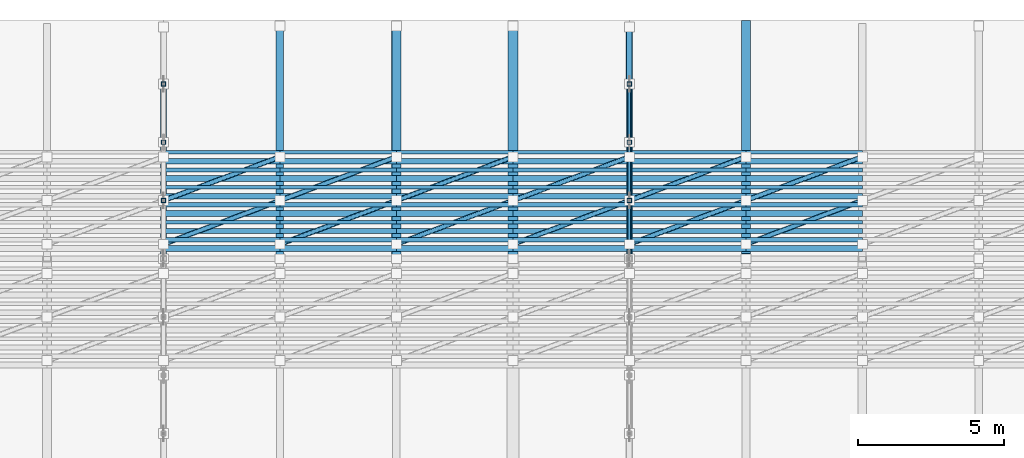
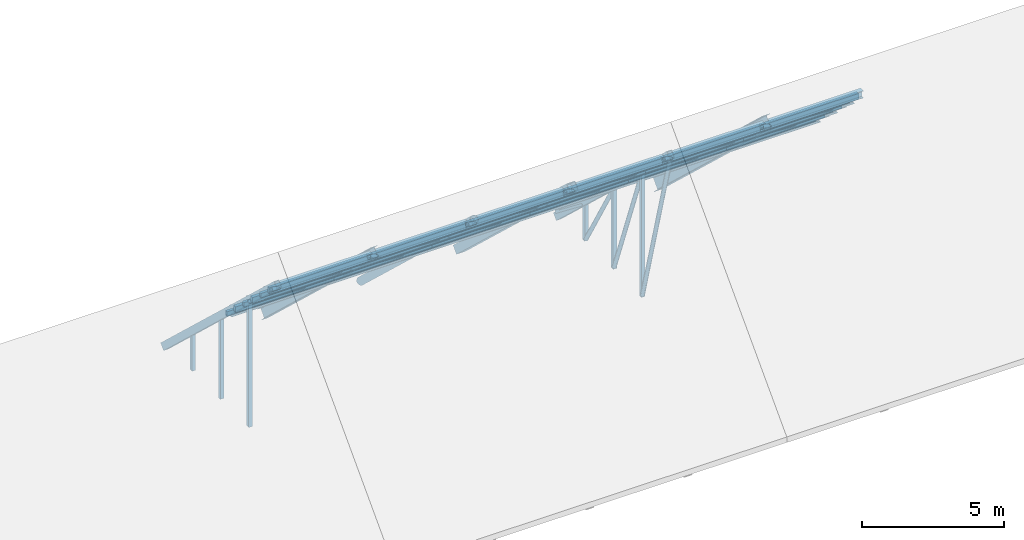
# One storey, part 9 of 18: 100 members.
"""IFC4 building model written with IfcOpenShell, lengths in metres."""

from ifc_helpers import new_model, si_unit, direction, frame, origin, origin_2d, place, context, subcontext, project, spatial, hollow_rectangle, hollow_circle, i_section, extrude, material, material_profile, profile_set, type_object, element, save


model = new_model("IFC4")

# Units and contexts
model_context = context("Model", 3, precision=1e-05, world=origin(), true_north=direction((0.0, 1.0)))
body_context = subcontext(model_context, "Body", "Model", "MODEL_VIEW")
ifc_project = project(units=[si_unit("LENGTHUNIT", "METRE"), si_unit("AREAUNIT", "SQUARE_METRE"), si_unit("VOLUMEUNIT", "CUBIC_METRE"), si_unit("PLANEANGLEUNIT", "RADIAN"), si_unit("MASSUNIT", "GRAM", prefix="KILO")], contexts=[model_context])

# Site, building, storey
site_placement = place(None, origin())
site = spatial("IfcSite", under=ifc_project, at=site_placement, CompositionType="ELEMENT")
building_placement = place(site_placement, origin())
building = spatial("IfcBuilding", under=site, at=building_placement, Name="Serraluz Foothill Cableway Terminal", CompositionType="ELEMENT")
storey_placement = place(building_placement, frame((0.0, 0.0, 24.300048828125)))
storey = spatial("IfcBuildingStorey", under=building, at=storey_placement, Name="RF", CompositionType="ELEMENT", Elevation=24.300048828125)

# Members
ifc_material_1 = material(Name="Steel ASTM A572 Grade 50", Category="steel")
ifc_material_profile_1 = material_profile(ifc_material_1, hollow_circle(Radius=0.084228515625, WallThickness=0.010009765625, at=origin_2d()), Name="CHS168X10")
ifc_profile_set_1 = profile_set([ifc_material_profile_1], Name="Steel ASTM A572 Grade 50")
member_type_1 = type_object("IfcMemberType", Name="TYP-BR-CHS168", PredefinedType="BRACE", material=ifc_profile_set_1)
member_1_placement = place(storey_placement, frame((88.0, 64.01611328125, 2.51220703125), z_axis=(0.0, 0.26797823219, -0.963424967017), x_axis=(-1.0, 0.0, 0.0)))
element("IfcMember", 1, at=member_1_placement, inside=storey, type_object=member_type_1, Name="ROOF TRUSS TR-04 Diagonal 5", PredefinedType="BRACE", context=body_context, shape_type="SweptSolid", body=[
    extrude(hollow_circle(Radius=0.084228515625, WallThickness=0.010009765625, at=origin_2d()), origin(), (0.0, 0.0, 1.0), 7.343017578125),
])
member_2_placement = place(storey_placement, frame((88.0, 66.02099609375, 0.638671875), z_axis=(0.0, 0.352230195063, -0.935913398604), x_axis=(-1.0, 0.0, 0.0)))
element("IfcMember", 2, at=member_2_placement, inside=storey, type_object=member_type_1, Name="ROOF TRUSS TR-04 Diagonal 6", PredefinedType="BRACE", context=body_context, shape_type="SweptSolid", body=[
    extrude(hollow_circle(Radius=0.084228515625, WallThickness=0.010009765625, at=origin_2d()), origin(), (0.0, 0.0, 1.0), 5.558837890625),
])
member_3_placement = place(storey_placement, frame((88.0, 68.0302734375, -1.23193359375), z_axis=(0.0, 0.502584169831, -0.864528283074), x_axis=(-1.0, 0.0, 0.0)))
element("IfcMember", 3, at=member_3_placement, inside=storey, type_object=member_type_1, Name="ROOF TRUSS TR-04 Diagonal 7", PredefinedType="BRACE", context=body_context, shape_type="SweptSolid", body=[
    extrude(hollow_circle(Radius=0.084228515625, WallThickness=0.010009765625, at=origin_2d()), origin(), (0.0, 0.0, 1.0), 3.85888671875),
])
for number, where, z_axis, x_axis, name in (
    (4, (72.0, 64.5, 2.171142578125), (0.889382269185, 0.333518350944, -0.31267345401), (-0.351123441588, 0.936329177569, 0.0), "Roof Lateral Wind Brace 0251"),
    (5, (72.0, 66.0, 0.764892578125), (0.889382269185, 0.333518350944, -0.31267345401), (-0.351123441588, 0.936329177569, 0.0), "Roof Lateral Wind Brace 0252"),
    (6, (76.0, 64.5, 2.171142578125), (0.889382269185, 0.333518350944, -0.31267345401), (-0.351123441588, 0.936329177569, 0.0), "Roof Lateral Wind Brace 0279"),
    (7, (76.0, 66.0, 0.764892578125), (0.889382269185, 0.333518350944, -0.31267345401), (-0.351123441588, 0.936329177569, 0.0), "Roof Lateral Wind Brace 0280"),
    (8, (80.0, 64.5, 2.171142578125), (0.889382269185, 0.333518350944, -0.31267345401), (-0.351123441588, 0.936329177569, 0.0), "Roof Lateral Wind Brace 0307"),
    (9, (80.0, 66.0, 0.764892578125), (0.889382269185, 0.333518350944, -0.31267345401), (-0.351123441588, 0.936329177569, 0.0), "Roof Lateral Wind Brace 0308"),
    (10, (84.0, 64.5, 2.171142578125), (0.889382269185, 0.333518350944, -0.31267345401), (-0.351123441588, 0.936329177569, 0.0), "Roof Lateral Wind Brace 0335"),
    (11, (84.0, 66.0, 0.764892578125), (0.889382269185, 0.333518350944, -0.31267345401), (-0.351123441588, 0.936329177569, 0.0), "Roof Lateral Wind Brace 0336"),
    (12, (88.0, 64.5, 2.171142578125), (0.889382269185, 0.333518350944, -0.31267345401), (-0.351123441588, 0.936329177569, 0.0), "Roof Lateral Wind Brace 0363"),
    (13, (88.0, 66.0, 0.764892578125), (0.889382269185, 0.333518350944, -0.31267345401), (-0.351123441588, 0.936329177569, 0.0), "Roof Lateral Wind Brace 0364"),
    (14, (92.0, 64.5, 2.171142578125), (0.889382269185, 0.333518350944, -0.31267345401), (-0.351123441588, 0.936329177569, 0.0), "Roof Lateral Wind Brace 0391"),
    (15, (92.0, 66.0, 0.764892578125), (0.889382269185, 0.333518350944, -0.31267345401), (-0.351123441588, 0.936329177569, 0.0), "Roof Lateral Wind Brace 0392"),
):
    element("IfcMember", number, at=place(storey_placement, frame(where, z_axis=z_axis, x_axis=x_axis)), inside=storey, type_object=member_type_1, Name=name, PredefinedType="BRACE", context=body_context, shape_type="SweptSolid", body=[
        extrude(hollow_circle(Radius=0.084228515625, WallThickness=0.010009765625, at=origin_2d()), origin(), (0.0, 0.0, 1.0), 4.49755859375),
    ])
ifc_material_profile_2 = material_profile(ifc_material_1, hollow_circle(Radius=0.109619140625, WallThickness=0.011962890625, at=origin_2d()), Name="CHS219X12")
ifc_profile_set_2 = profile_set([ifc_material_profile_2], Name="Steel ASTM A572 Grade 50")
member_type_2 = type_object("IfcMemberType", Name="TYP-BR-CHS219", PredefinedType="BRACE", material=ifc_profile_set_2)
member_4_placement = place(storey_placement, frame((88.0, 70.04736328125, -3.092041015625), z_axis=(0.0, 0.787528424659, -0.616278330265), x_axis=(-1.0, 0.0, 0.0)))
element("IfcMember", 16, at=member_4_placement, inside=storey, type_object=member_type_2, Name="ROOF TRUSS TR-04 Diagonal 8", PredefinedType="BRACE", context=body_context, shape_type="SweptSolid", body=[
    extrude(hollow_circle(Radius=0.109619140625, WallThickness=0.011962890625, at=origin_2d()), origin(), (0.0, 0.0, 1.0), 2.419189453125),
])
ifc_material_profile_3 = material_profile(ifc_material_1, hollow_rectangle(XDim=0.14990234375, YDim=0.14990234375, WallThickness=0.010009765625, at=origin_2d()), Name="HSS150X150X10")
ifc_profile_set_3 = profile_set([ifc_material_profile_3], Name="Steel ASTM A572 Grade 50")
member_type_3 = type_object("IfcMemberType", Name="TYP-BR-HSS150", PredefinedType="BRACE", material=ifc_profile_set_3)
member_5_placement = place(storey_placement, frame((72.0, 66.0, -4.610107421875), z_axis=(0.0, 0.0, 1.0), x_axis=(1.0, 0.0, 0.0)))
element("IfcMember", 17, at=member_5_placement, inside=storey, type_object=member_type_3, Name="ROOF TRUSS TR-03 Web Post 5", PredefinedType="BRACE", context=body_context, shape_type="SweptSolid", body=[
    extrude(hollow_rectangle(XDim=0.14990234375, YDim=0.14990234375, WallThickness=0.010009765625, at=origin_2d()), origin(), (0.0, 0.0, 1.0), 5.295166015625),
])
member_6_placement = place(storey_placement, frame((72.0, 68.0, -4.610107421875), z_axis=(0.0, 0.0, 1.0), x_axis=(1.0, 0.0, 0.0)))
element("IfcMember", 18, at=member_6_placement, inside=storey, type_object=member_type_3, Name="ROOF TRUSS TR-03 Web Post 6", PredefinedType="BRACE", context=body_context, shape_type="SweptSolid", body=[
    extrude(hollow_rectangle(XDim=0.14990234375, YDim=0.14990234375, WallThickness=0.010009765625, at=origin_2d()), origin(), (0.0, 0.0, 1.0), 3.420166015625),
])
member_7_placement = place(storey_placement, frame((72.0, 70.0, -4.610107421875), z_axis=(0.0, 0.0, 1.0), x_axis=(1.0, 0.0, 0.0)))
element("IfcMember", 19, at=member_7_placement, inside=storey, type_object=member_type_3, Name="ROOF TRUSS TR-03 Web Post 7", PredefinedType="BRACE", context=body_context, shape_type="SweptSolid", body=[
    extrude(hollow_rectangle(XDim=0.14990234375, YDim=0.14990234375, WallThickness=0.010009765625, at=origin_2d()), origin(), (0.0, 0.0, 1.0), 1.545166015625),
])
member_8_placement = place(storey_placement, frame((88.0, 66.0, -4.610107421875), z_axis=(0.0, 0.0, 1.0), x_axis=(1.0, 0.0, 0.0)))
element("IfcMember", 20, at=member_8_placement, inside=storey, type_object=member_type_3, Name="ROOF TRUSS TR-04 Web Post 5", PredefinedType="BRACE", context=body_context, shape_type="SweptSolid", body=[
    extrude(hollow_rectangle(XDim=0.14990234375, YDim=0.14990234375, WallThickness=0.010009765625, at=origin_2d()), origin(), (0.0, 0.0, 1.0), 5.295166015625),
])
member_9_placement = place(storey_placement, frame((88.0, 68.0, -4.610107421875), z_axis=(0.0, 0.0, 1.0), x_axis=(1.0, 0.0, 0.0)))
element("IfcMember", 21, at=member_9_placement, inside=storey, type_object=member_type_3, Name="ROOF TRUSS TR-04 Web Post 6", PredefinedType="BRACE", context=body_context, shape_type="SweptSolid", body=[
    extrude(hollow_rectangle(XDim=0.14990234375, YDim=0.14990234375, WallThickness=0.010009765625, at=origin_2d()), origin(), (0.0, 0.0, 1.0), 3.420166015625),
])
member_10_placement = place(storey_placement, frame((88.0, 70.0, -4.610107421875), z_axis=(0.0, 0.0, 1.0), x_axis=(1.0, 0.0, 0.0)))
element("IfcMember", 22, at=member_10_placement, inside=storey, type_object=member_type_3, Name="ROOF TRUSS TR-04 Web Post 7", PredefinedType="BRACE", context=body_context, shape_type="SweptSolid", body=[
    extrude(hollow_rectangle(XDim=0.14990234375, YDim=0.14990234375, WallThickness=0.010009765625, at=origin_2d()), origin(), (0.0, 0.0, 1.0), 1.545166015625),
])
ifc_material_profile_4 = material_profile(ifc_material_1, hollow_rectangle(XDim=0.199951171875, YDim=0.300048828125, WallThickness=0.011962890625, at=origin_2d()), Name="HSS300X200X12")
ifc_profile_set_4 = profile_set([ifc_material_profile_4], Name="Steel ASTM A572 Grade 50")
member_type_4 = type_object("IfcMemberType", Name="TYP-CH-HSS300X200", PredefinedType="CHORD", material=ifc_profile_set_4)
for number, where, z_axis, x_axis, name in (
    (23, (72.0, 72.0, -4.800048828125), (0.0, -0.72953720414, 0.683941128881), (1.0, 0.0, 0.0), "ROOF TRUSS TR-03 Top Chord 2"),
    (24, (88.0, 72.0, -4.800048828125), (0.0, -0.72953720414, 0.683941128881), (1.0, 0.0, 0.0), "ROOF TRUSS TR-04 Top Chord 2"),
):
    element("IfcMember", number, at=place(storey_placement, frame(where, z_axis=z_axis, x_axis=x_axis)), inside=storey, type_object=member_type_4, Name=name, PredefinedType="CHORD", context=body_context, shape_type="SweptSolid", body=[
        extrude(hollow_rectangle(XDim=0.199951171875, YDim=0.300048828125, WallThickness=0.011962890625, at=origin_2d()), origin(), (0.0, 0.0, 1.0), 10.9658203125),
    ])
ifc_material_2 = material(Name="Steel ASTM A992 Grade 50", Category="steel")
ifc_material_profile_5 = material_profile(ifc_material_2, i_section(OverallWidth=0.31201171875, OverallDepth=0.54296875, WebThickness=0.0126953125, FlangeThickness=0.020263671875, FilletRadius=0.01611328125, at=origin_2d()), Name="W21X101")
ifc_profile_set_5 = profile_set([ifc_material_profile_5], Name="Steel ASTM A992 Grade 50")
member_type_5 = type_object("IfcMemberType", Name="TYP-CH-W21X101", PredefinedType="CHORD", material=ifc_profile_set_5)
member_11_placement = place(storey_placement, frame((92.0, 72.0, -4.800048828125), z_axis=(0.0, -0.72953720414, 0.683941128881), x_axis=(1.0, 0.0, 0.0)))
element("IfcMember", 25, at=member_11_placement, inside=storey, type_object=member_type_5, Name="Secondary Roof Rafter 0020", PredefinedType="CHORD", context=body_context, shape_type="SweptSolid", body=[
    extrude(i_section(OverallWidth=0.31201171875, OverallDepth=0.54296875, WebThickness=0.0126953125, FlangeThickness=0.020263671875, FilletRadius=0.01611328125, at=origin_2d()), origin(), (0.0, 0.0, 1.0), 10.9658203125),
])
ifc_material_profile_6 = material_profile(ifc_material_1, hollow_rectangle(XDim=0.1201171875, YDim=0.199951171875, WallThickness=0.008056640625, at=origin_2d()), Name="HSS200X120X8")
ifc_profile_set_6 = profile_set([ifc_material_profile_6], Name="Steel ASTM A572 Grade 50")
member_type_6 = type_object("IfcMemberType", Name="TYP-PR-HSS200X120", PredefinedType="PURLIN", material=ifc_profile_set_6)
for number, where, z_axis, x_axis, name in (
    (26, (72.0, 65.25, 1.488037109375), (1.0, 0.0, 0.0), (0.0, 1.0, 0.0), "Secondary Roof Purlin 0240"),
    (27, (72.0, 66.449951171875, 0.363037109375), (1.0, 0.0, 0.0), (0.0, 1.0, 0.0), "Secondary Roof Purlin 0244"),
    (28, (72.0, 67.64990234375, -0.761962890625), (1.0, 0.0, 0.0), (0.0, 1.0, 0.0), "Secondary Roof Purlin 0248"),
    (29, (76.0, 65.25, 1.488037109375), (1.0, 0.0, 0.0), (0.0, 1.0, 0.0), "Secondary Roof Purlin 0268"),
    (30, (76.0, 66.449951171875, 0.363037109375), (1.0, 0.0, 0.0), (0.0, 1.0, 0.0), "Secondary Roof Purlin 0272"),
    (31, (76.0, 67.64990234375, -0.761962890625), (1.0, 0.0, 0.0), (0.0, 1.0, 0.0), "Secondary Roof Purlin 0276"),
    (32, (80.0, 65.25, 1.488037109375), (1.0, 0.0, 0.0), (0.0, 1.0, 0.0), "Secondary Roof Purlin 0296"),
    (33, (80.0, 66.449951171875, 0.363037109375), (1.0, 0.0, 0.0), (0.0, 1.0, 0.0), "Secondary Roof Purlin 0300"),
    (34, (80.0, 67.64990234375, -0.761962890625), (1.0, 0.0, 0.0), (0.0, 1.0, 0.0), "Secondary Roof Purlin 0304"),
    (35, (84.0, 65.25, 1.488037109375), (1.0, 0.0, 0.0), (0.0, 1.0, 0.0), "Secondary Roof Purlin 0324"),
    (36, (84.0, 66.449951171875, 0.363037109375), (1.0, 0.0, 0.0), (0.0, 1.0, 0.0), "Secondary Roof Purlin 0328"),
    (37, (84.0, 67.64990234375, -0.761962890625), (1.0, 0.0, 0.0), (0.0, 1.0, 0.0), "Secondary Roof Purlin 0332"),
    (38, (88.0, 65.25, 1.488037109375), (1.0, 0.0, 0.0), (0.0, 1.0, 0.0), "Secondary Roof Purlin 0352"),
    (39, (88.0, 66.449951171875, 0.363037109375), (1.0, 0.0, 0.0), (0.0, 1.0, 0.0), "Secondary Roof Purlin 0356"),
    (40, (88.0, 67.64990234375, -0.761962890625), (1.0, 0.0, 0.0), (0.0, 1.0, 0.0), "Secondary Roof Purlin 0360"),
    (41, (92.0, 65.25, 1.488037109375), (1.0, 0.0, 0.0), (0.0, 1.0, 0.0), "Secondary Roof Purlin 0380"),
    (42, (92.0, 66.449951171875, 0.363037109375), (1.0, 0.0, 0.0), (0.0, 1.0, 0.0), "Secondary Roof Purlin 0384"),
    (43, (92.0, 67.64990234375, -0.761962890625), (1.0, 0.0, 0.0), (0.0, 1.0, 0.0), "Secondary Roof Purlin 0388"),
):
    element("IfcMember", number, at=place(storey_placement, frame(where, z_axis=z_axis, x_axis=x_axis)), inside=storey, type_object=member_type_6, Name=name, PredefinedType="PURLIN", context=body_context, shape_type="SweptSolid", body=[
        extrude(hollow_rectangle(XDim=0.1201171875, YDim=0.199951171875, WallThickness=0.008056640625, at=origin_2d()), origin(), (0.0, 0.0, 1.0), 4.0),
    ])
ifc_material_profile_7 = material_profile(ifc_material_1, hollow_rectangle(XDim=0.14990234375, YDim=0.25, WallThickness=0.010009765625, at=origin_2d()), Name="HSS250X150X10")
ifc_profile_set_7 = profile_set([ifc_material_profile_7], Name="Steel ASTM A572 Grade 50")
member_type_7 = type_object("IfcMemberType", Name="TYP-PR-HSS250X150", PredefinedType="PURLIN", material=ifc_profile_set_7)
for number, where, z_axis, x_axis, name in (
    (44, (72.0, 64.64990234375, 2.050537109375), (1.0, 0.0, 0.0), (0.0, 1.0, 0.0), "Secondary Roof Purlin 0238"),
    (45, (72.0, 65.85009765625, 0.925537109375), (1.0, 0.0, 0.0), (0.0, 1.0, 0.0), "Secondary Roof Purlin 0242"),
    (46, (72.0, 67.050048828125, -0.199462890625), (1.0, 0.0, 0.0), (0.0, 1.0, 0.0), "Secondary Roof Purlin 0246"),
    (47, (76.0, 64.64990234375, 2.050537109375), (1.0, 0.0, 0.0), (0.0, 1.0, 0.0), "Secondary Roof Purlin 0266"),
    (48, (76.0, 65.85009765625, 0.925537109375), (1.0, 0.0, 0.0), (0.0, 1.0, 0.0), "Secondary Roof Purlin 0270"),
    (49, (76.0, 67.050048828125, -0.199462890625), (1.0, 0.0, 0.0), (0.0, 1.0, 0.0), "Secondary Roof Purlin 0274"),
    (50, (80.0, 64.64990234375, 2.050537109375), (1.0, 0.0, 0.0), (0.0, 1.0, 0.0), "Secondary Roof Purlin 0294"),
    (51, (80.0, 65.85009765625, 0.925537109375), (1.0, 0.0, 0.0), (0.0, 1.0, 0.0), "Secondary Roof Purlin 0298"),
    (52, (80.0, 67.050048828125, -0.199462890625), (1.0, 0.0, 0.0), (0.0, 1.0, 0.0), "Secondary Roof Purlin 0302"),
    (53, (84.0, 64.64990234375, 2.050537109375), (1.0, 0.0, 0.0), (0.0, 1.0, 0.0), "Secondary Roof Purlin 0322"),
    (54, (84.0, 65.85009765625, 0.925537109375), (1.0, 0.0, 0.0), (0.0, 1.0, 0.0), "Secondary Roof Purlin 0326"),
    (55, (84.0, 67.050048828125, -0.199462890625), (1.0, 0.0, 0.0), (0.0, 1.0, 0.0), "Secondary Roof Purlin 0330"),
    (56, (88.0, 64.64990234375, 2.050537109375), (1.0, 0.0, 0.0), (0.0, 1.0, 0.0), "Secondary Roof Purlin 0350"),
    (57, (88.0, 65.85009765625, 0.925537109375), (1.0, 0.0, 0.0), (0.0, 1.0, 0.0), "Secondary Roof Purlin 0354"),
    (58, (88.0, 67.050048828125, -0.199462890625), (1.0, 0.0, 0.0), (0.0, 1.0, 0.0), "Secondary Roof Purlin 0358"),
    (59, (92.0, 64.64990234375, 2.050537109375), (1.0, 0.0, 0.0), (0.0, 1.0, 0.0), "Secondary Roof Purlin 0378"),
    (60, (92.0, 65.85009765625, 0.925537109375), (1.0, 0.0, 0.0), (0.0, 1.0, 0.0), "Secondary Roof Purlin 0382"),
    (61, (92.0, 67.050048828125, -0.199462890625), (1.0, 0.0, 0.0), (0.0, 1.0, 0.0), "Secondary Roof Purlin 0386"),
):
    element("IfcMember", number, at=place(storey_placement, frame(where, z_axis=z_axis, x_axis=x_axis)), inside=storey, type_object=member_type_7, Name=name, PredefinedType="PURLIN", context=body_context, shape_type="SweptSolid", body=[
        extrude(hollow_rectangle(XDim=0.14990234375, YDim=0.25, WallThickness=0.010009765625, at=origin_2d()), origin(), (0.0, 0.0, 1.0), 4.0),
    ])
ifc_material_profile_8 = material_profile(ifc_material_2, i_section(OverallWidth=0.205078125, OverallDepth=0.31005859375, WebThickness=0.009521484375, FlangeThickness=0.016357421875, FilletRadius=0.012939453125, at=origin_2d()), Name="W12X50")
ifc_profile_set_8 = profile_set([ifc_material_profile_8], Name="Steel ASTM A992 Grade 50")
member_type_8 = type_object("IfcMemberType", Name="TYP-PR-W12X50", PredefinedType="PURLIN", material=ifc_profile_set_8)
for number, where, z_axis, x_axis, name in (
    (62, (72.0, 64.35009765625, 2.331787109375), (1.0, 0.0, 0.0), (0.0, 1.0, 0.0), "Secondary Roof Purlin 0237"),
    (63, (72.0, 65.550048828125, 1.206787109375), (1.0, 0.0, 0.0), (0.0, 1.0, 0.0), "Secondary Roof Purlin 0241"),
    (64, (72.0, 66.75, 0.081787109375), (1.0, 0.0, 0.0), (0.0, 1.0, 0.0), "Secondary Roof Purlin 0245"),
    (65, (76.0, 64.35009765625, 2.331787109375), (1.0, 0.0, 0.0), (0.0, 1.0, 0.0), "Secondary Roof Purlin 0265"),
    (66, (76.0, 65.550048828125, 1.206787109375), (1.0, 0.0, 0.0), (0.0, 1.0, 0.0), "Secondary Roof Purlin 0269"),
    (67, (76.0, 66.75, 0.081787109375), (1.0, 0.0, 0.0), (0.0, 1.0, 0.0), "Secondary Roof Purlin 0273"),
    (68, (80.0, 64.35009765625, 2.331787109375), (1.0, 0.0, 0.0), (0.0, 1.0, 0.0), "Secondary Roof Purlin 0293"),
    (69, (80.0, 65.550048828125, 1.206787109375), (1.0, 0.0, 0.0), (0.0, 1.0, 0.0), "Secondary Roof Purlin 0297"),
    (70, (80.0, 66.75, 0.081787109375), (1.0, 0.0, 0.0), (0.0, 1.0, 0.0), "Secondary Roof Purlin 0301"),
    (71, (84.0, 64.35009765625, 2.331787109375), (1.0, 0.0, 0.0), (0.0, 1.0, 0.0), "Secondary Roof Purlin 0321"),
    (72, (84.0, 65.550048828125, 1.206787109375), (1.0, 0.0, 0.0), (0.0, 1.0, 0.0), "Secondary Roof Purlin 0325"),
    (73, (84.0, 66.75, 0.081787109375), (1.0, 0.0, 0.0), (0.0, 1.0, 0.0), "Secondary Roof Purlin 0329"),
    (74, (88.0, 64.35009765625, 2.331787109375), (1.0, 0.0, 0.0), (0.0, 1.0, 0.0), "Secondary Roof Purlin 0349"),
    (75, (88.0, 65.550048828125, 1.206787109375), (1.0, 0.0, 0.0), (0.0, 1.0, 0.0), "Secondary Roof Purlin 0353"),
    (76, (88.0, 66.75, 0.081787109375), (1.0, 0.0, 0.0), (0.0, 1.0, 0.0), "Secondary Roof Purlin 0357"),
    (77, (92.0, 64.35009765625, 2.331787109375), (1.0, 0.0, 0.0), (0.0, 1.0, 0.0), "Secondary Roof Purlin 0377"),
    (78, (92.0, 65.550048828125, 1.206787109375), (1.0, 0.0, 0.0), (0.0, 1.0, 0.0), "Secondary Roof Purlin 0381"),
    (79, (92.0, 66.75, 0.081787109375), (1.0, 0.0, 0.0), (0.0, 1.0, 0.0), "Secondary Roof Purlin 0385"),
):
    element("IfcMember", number, at=place(storey_placement, frame(where, z_axis=z_axis, x_axis=x_axis)), inside=storey, type_object=member_type_8, Name=name, PredefinedType="PURLIN", context=body_context, shape_type="SweptSolid", body=[
        extrude(i_section(OverallWidth=0.205078125, OverallDepth=0.31005859375, WebThickness=0.009521484375, FlangeThickness=0.016357421875, FilletRadius=0.012939453125, at=origin_2d()), origin(), (0.0, 0.0, 1.0), 4.0),
    ])
ifc_material_profile_9 = material_profile(ifc_material_2, i_section(OverallWidth=0.180908203125, OverallDepth=0.4169921875, WebThickness=0.010986328125, FlangeThickness=0.018310546875, FilletRadius=0.013916015625, at=origin_2d()), Name="W16X57")
ifc_profile_set_9 = profile_set([ifc_material_profile_9], Name="Steel ASTM A992 Grade 50")
member_type_9 = type_object("IfcMemberType", Name="TYP-PR-W16X57", PredefinedType="PURLIN", material=ifc_profile_set_9)
for number, where, z_axis, x_axis, name in (
    (80, (72.0, 64.949951171875, 1.769287109375), (1.0, 0.0, 0.0), (0.0, 1.0, 0.0), "Secondary Roof Purlin 0239"),
    (81, (72.0, 66.14990234375, 0.644287109375), (1.0, 0.0, 0.0), (0.0, 1.0, 0.0), "Secondary Roof Purlin 0243"),
    (82, (72.0, 67.35009765625, -0.480712890625), (1.0, 0.0, 0.0), (0.0, 1.0, 0.0), "Secondary Roof Purlin 0247"),
    (83, (76.0, 64.949951171875, 1.769287109375), (1.0, 0.0, 0.0), (0.0, 1.0, 0.0), "Secondary Roof Purlin 0267"),
    (84, (76.0, 66.14990234375, 0.644287109375), (1.0, 0.0, 0.0), (0.0, 1.0, 0.0), "Secondary Roof Purlin 0271"),
    (85, (76.0, 67.35009765625, -0.480712890625), (1.0, 0.0, 0.0), (0.0, 1.0, 0.0), "Secondary Roof Purlin 0275"),
    (86, (80.0, 64.949951171875, 1.769287109375), (1.0, 0.0, 0.0), (0.0, 1.0, 0.0), "Secondary Roof Purlin 0295"),
    (87, (80.0, 66.14990234375, 0.644287109375), (1.0, 0.0, 0.0), (0.0, 1.0, 0.0), "Secondary Roof Purlin 0299"),
    (88, (80.0, 67.35009765625, -0.480712890625), (1.0, 0.0, 0.0), (0.0, 1.0, 0.0), "Secondary Roof Purlin 0303"),
    (89, (84.0, 64.949951171875, 1.769287109375), (1.0, 0.0, 0.0), (0.0, 1.0, 0.0), "Secondary Roof Purlin 0323"),
    (90, (84.0, 66.14990234375, 0.644287109375), (1.0, 0.0, 0.0), (0.0, 1.0, 0.0), "Secondary Roof Purlin 0327"),
    (91, (84.0, 67.35009765625, -0.480712890625), (1.0, 0.0, 0.0), (0.0, 1.0, 0.0), "Secondary Roof Purlin 0331"),
    (92, (88.0, 64.949951171875, 1.769287109375), (1.0, 0.0, 0.0), (0.0, 1.0, 0.0), "Secondary Roof Purlin 0351"),
    (93, (88.0, 66.14990234375, 0.644287109375), (1.0, 0.0, 0.0), (0.0, 1.0, 0.0), "Secondary Roof Purlin 0355"),
    (94, (88.0, 67.35009765625, -0.480712890625), (1.0, 0.0, 0.0), (0.0, 1.0, 0.0), "Secondary Roof Purlin 0359"),
    (95, (92.0, 64.949951171875, 1.769287109375), (1.0, 0.0, 0.0), (0.0, 1.0, 0.0), "Secondary Roof Purlin 0379"),
    (96, (92.0, 66.14990234375, 0.644287109375), (1.0, 0.0, 0.0), (0.0, 1.0, 0.0), "Secondary Roof Purlin 0383"),
    (97, (92.0, 67.35009765625, -0.480712890625), (1.0, 0.0, 0.0), (0.0, 1.0, 0.0), "Secondary Roof Purlin 0387"),
):
    element("IfcMember", number, at=place(storey_placement, frame(where, z_axis=z_axis, x_axis=x_axis)), inside=storey, type_object=member_type_9, Name=name, PredefinedType="PURLIN", context=body_context, shape_type="SweptSolid", body=[
        extrude(i_section(OverallWidth=0.180908203125, OverallDepth=0.4169921875, WebThickness=0.010986328125, FlangeThickness=0.018310546875, FilletRadius=0.013916015625, at=origin_2d()), origin(), (0.0, 0.0, 1.0), 4.0),
    ])
ifc_material_profile_10 = material_profile(ifc_material_1, hollow_circle(Radius=0.161865234375, WallThickness=0.01611328125, at=origin_2d()), Name="CHS324X16")
ifc_profile_set_10 = profile_set([ifc_material_profile_10], Name="Steel ASTM A572 Grade 50")
member_type_10 = type_object("IfcMemberType", Name="TYP-ST-CHS324", PredefinedType="STRUT", material=ifc_profile_set_10)
member_12_placement = place(storey_placement, frame((80.0, 72.0, -4.800048828125), z_axis=(0.0, -0.72953720414, 0.683941128881), x_axis=(1.0, 0.0, 0.0)))
element("IfcMember", 98, at=member_12_placement, inside=storey, type_object=member_type_10, Name="Secondary Roof Rafter 0016", PredefinedType="STRUT", context=body_context, shape_type="SweptSolid", body=[
    extrude(hollow_circle(Radius=0.161865234375, WallThickness=0.01611328125, at=origin_2d()), origin(), (0.0, 0.0, 1.0), 10.9658203125),
])
ifc_material_profile_11 = material_profile(ifc_material_1, hollow_rectangle(XDim=0.35009765625, YDim=0.35009765625, WallThickness=0.01611328125, at=origin_2d()), Name="HSS350X350X16")
ifc_profile_set_11 = profile_set([ifc_material_profile_11], Name="Steel ASTM A572 Grade 50")
member_type_11 = type_object("IfcMemberType", Name="TYP-ST-HSS350", PredefinedType="STRUT", material=ifc_profile_set_11)
member_13_placement = place(storey_placement, frame((84.0, 72.0, -4.800048828125), z_axis=(0.0, -0.72953720414, 0.683941128881), x_axis=(1.0, 0.0, 0.0)))
element("IfcMember", 99, at=member_13_placement, inside=storey, type_object=member_type_11, Name="Secondary Roof Rafter 0018", PredefinedType="STRUT", context=body_context, shape_type="SweptSolid", body=[
    extrude(hollow_rectangle(XDim=0.35009765625, YDim=0.35009765625, WallThickness=0.01611328125, at=origin_2d()), origin(), (0.0, 0.0, 1.0), 10.9658203125),
])
ifc_material_profile_12 = material_profile(ifc_material_2, i_section(OverallWidth=0.260009765625, OverallDepth=0.4189453125, WebThickness=0.01171875, FlangeThickness=0.019287109375, FilletRadius=0.013916015625, at=origin_2d()), Name="W16X77")
ifc_profile_set_12 = profile_set([ifc_material_profile_12], Name="Steel ASTM A992 Grade 50")
member_type_12 = type_object("IfcMemberType", Name="TYP-ST-W16X77", PredefinedType="STRUT", material=ifc_profile_set_12)
member_14_placement = place(storey_placement, frame((76.0, 72.0, -4.800048828125), z_axis=(0.0, -0.72953720414, 0.683941128881), x_axis=(1.0, 0.0, 0.0)))
element("IfcMember", 100, at=member_14_placement, inside=storey, type_object=member_type_12, Name="Secondary Roof Rafter 0014", PredefinedType="STRUT", context=body_context, shape_type="SweptSolid", body=[
    extrude(i_section(OverallWidth=0.260009765625, OverallDepth=0.4189453125, WebThickness=0.01171875, FlangeThickness=0.019287109375, FilletRadius=0.013916015625, at=origin_2d()), origin(), (0.0, 0.0, 1.0), 10.9658203125),
])

save(model, "model.ifc")
